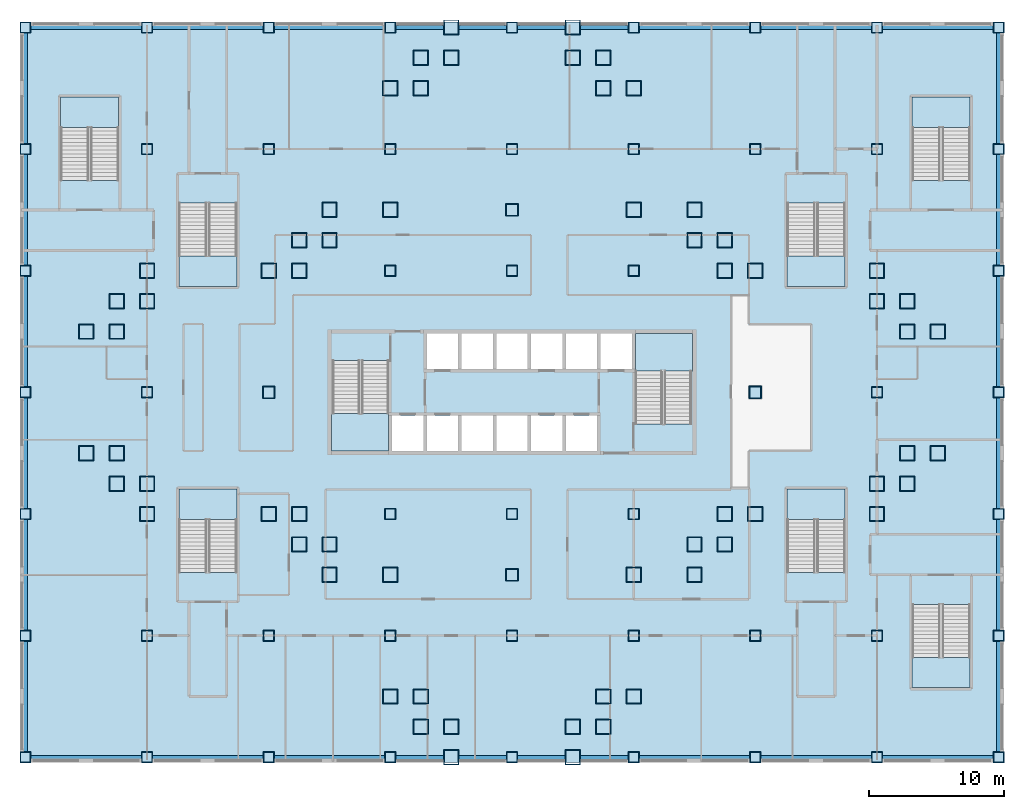
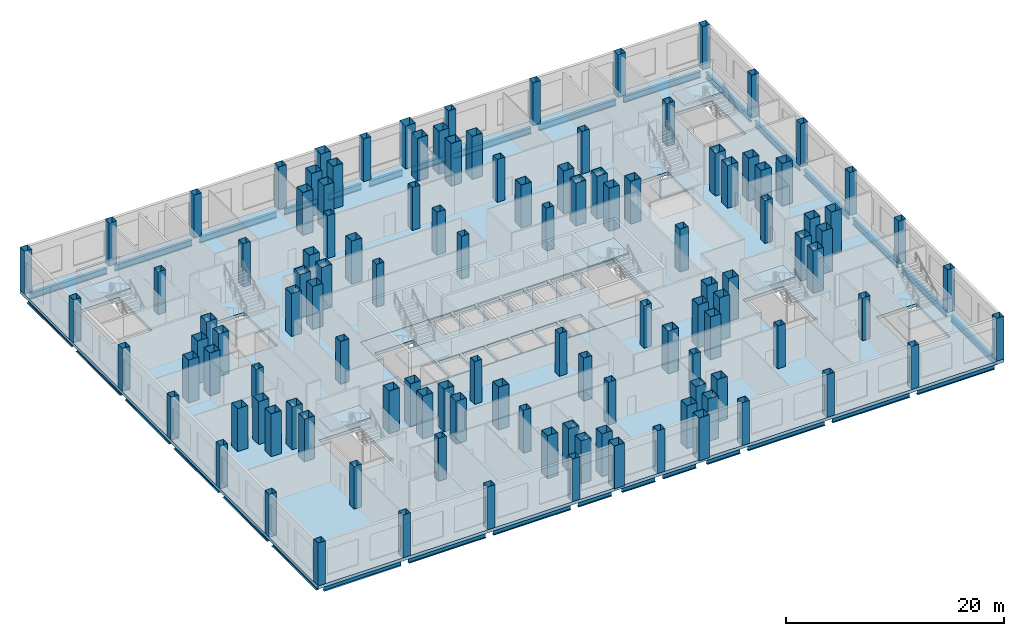
# One storey, part 1 of 23: 118 columns, 32 beams, 11 slabs, 9 elements without a shape of their own.
"""IFC4 building model written with IfcOpenShell, lengths in metres."""

from ifc_helpers import new_model, si_unit, direction, frame, origin, origin_2d, place, context, subcontext, project, spatial, polyline, hollow_rectangle, i_section, outline, extrude, material, layer, layer_set, material_profile, profile_set, type_object, element, aggregate, save


model = new_model("IFC4")

# Units and contexts
model_context = context("Model", 3, precision=1e-05, world=origin(), true_north=direction((0.0, 1.0)))
body_context = subcontext(model_context, "Body", "Model", "MODEL_VIEW")
ifc_project = project(units=[si_unit("LENGTHUNIT", "METRE"), si_unit("AREAUNIT", "SQUARE_METRE"), si_unit("VOLUMEUNIT", "CUBIC_METRE"), si_unit("PLANEANGLEUNIT", "RADIAN"), si_unit("MASSUNIT", "GRAM", prefix="KILO")], contexts=[model_context])

# Site, building, storey
site_placement = place(None, origin())
site = spatial("IfcSite", under=ifc_project, at=site_placement, CompositionType="ELEMENT")
building_placement = place(site_placement, origin())
building = spatial("IfcBuilding", under=site, at=building_placement, Name="Caravel Reach Hotel and Residences", CompositionType="ELEMENT")
storey_placement = place(building_placement, frame((0.0, 0.0, 24.0)))
storey = spatial("IfcBuildingStorey", under=building, at=storey_placement, Name="L04", CompositionType="ELEMENT", Elevation=24.0)

# Columns
ifc_material_1 = material(Name="Concrete-filled steel tube Q390B with Concrete C70 infill", Category="concrete")
ifc_material_profile_1 = material_profile(ifc_material_1, hollow_rectangle(XDim=1.10009765625, YDim=1.10009765625, WallThickness=0.035888671875, at=origin_2d()), Name="RHS 1100x1100x36")
ifc_profile_set_1 = profile_set([ifc_material_profile_1], Name="Concrete-filled steel tube Q390B with Concrete C70 infill")
column_type_1 = type_object("IfcColumnType", Name="CFT 1100x1100 Q390B C70", PredefinedType="COLUMN", material=ifc_profile_set_1)
for number, where, z_axis, x_axis, name in (
    (1, (22.5, 4.5, 0.0), (0.0, 0.0, 1.0), (1.0, 0.0, 0.0), "C1 column"),
    (2, (24.75, 4.5, 0.0), (0.0, 0.0, 1.0), (1.0, 0.0, 0.0), "C1 column"),
    (3, (24.75, 2.25, 0.0), (0.0, 0.0, 1.0), (1.0, 0.0, 0.0), "C1 column"),
    (4, (27.0, 2.25, 0.0), (0.0, 0.0, 1.0), (1.0, 0.0, 0.0), "C1 column"),
    (5, (27.0, 0.0, 0.0), (0.0, 0.0, 1.0), (1.0, 0.0, 0.0), "C1 column"),
    (6, (36.0, 0.0, 0.0), (0.0, 0.0, 1.0), (1.0, 0.0, 0.0), "C1 column"),
    (7, (36.0, 2.25, 0.0), (0.0, 0.0, 1.0), (1.0, 0.0, 0.0), "C1 column"),
    (8, (38.25, 2.25, 0.0), (0.0, 0.0, 1.0), (1.0, 0.0, 0.0), "C1 column"),
    (9, (38.25, 4.5, 0.0), (0.0, 0.0, 1.0), (1.0, 0.0, 0.0), "C1 column"),
    (10, (40.5, 4.5, 0.0), (0.0, 0.0, 1.0), (1.0, 0.0, 0.0), "C1 column"),
    (11, (40.5, 13.5, 0.0), (0.0, 0.0, 1.0), (1.0, 0.0, 0.0), "C1 column"),
    (12, (45.0, 13.5, 0.0), (0.0, 0.0, 1.0), (1.0, 0.0, 0.0), "C1 column"),
    (13, (45.0, 15.75, 0.0), (0.0, 0.0, 1.0), (1.0, 0.0, 0.0), "C1 column"),
    (14, (47.25, 15.75, 0.0), (0.0, 0.0, 1.0), (1.0, 0.0, 0.0), "C1 column"),
    (15, (47.25, 18.0, 0.0), (0.0, 0.0, 1.0), (1.0, 0.0, 0.0), "C1 column"),
    (16, (49.5, 18.0, 0.0), (0.0, 0.0, 1.0), (1.0, 0.0, 0.0), "C1 column"),
    (17, (58.5, 18.0, 0.0), (0.0, 0.0, 1.0), (1.0, 0.0, 0.0), "C1 column"),
    (18, (58.5, 20.25, 0.0), (0.0, 0.0, 1.0), (1.0, 0.0, 0.0), "C1 column"),
    (19, (60.75, 20.25, 0.0), (0.0, 0.0, 1.0), (1.0, 0.0, 0.0), "C1 column"),
    (20, (60.75, 22.5, 0.0), (0.0, 0.0, 1.0), (1.0, 0.0, 0.0), "C1 column"),
    (21, (63.0, 22.5, 0.0), (0.0, 0.0, 1.0), (1.0, 0.0, 0.0), "C1 column"),
    (22, (63.0, 31.5, 0.0), (0.0, 0.0, 1.0), (1.0, 0.0, 0.0), "C1 column"),
    (23, (60.75, 31.5, 0.0), (0.0, 0.0, 1.0), (1.0, 0.0, 0.0), "C1 column"),
    (24, (60.75, 33.75, 0.0), (0.0, 0.0, 1.0), (1.0, 0.0, 0.0), "C1 column"),
    (25, (58.5, 33.75, 0.0), (0.0, 0.0, 1.0), (1.0, 0.0, 0.0), "C1 column"),
    (26, (58.5, 36.0, 0.0), (0.0, 0.0, 1.0), (1.0, 0.0, 0.0), "C1 column"),
    (27, (49.5, 36.0, 0.0), (0.0, 0.0, 1.0), (1.0, 0.0, 0.0), "C1 column"),
    (28, (47.25, 36.0, 0.0), (0.0, 0.0, 1.0), (1.0, 0.0, 0.0), "C1 column"),
    (29, (47.25, 38.25, 0.0), (0.0, 0.0, 1.0), (1.0, 0.0, 0.0), "C1 column"),
    (30, (45.0, 38.25, 0.0), (0.0, 0.0, 1.0), (1.0, 0.0, 0.0), "C1 column"),
    (31, (45.0, 40.5, 0.0), (0.0, 0.0, 1.0), (1.0, 0.0, 0.0), "C1 column"),
    (32, (40.5, 40.5, 0.0), (0.0, 0.0, 1.0), (1.0, 0.0, 0.0), "C1 column"),
    (33, (40.5, 49.5, 0.0), (0.0, 0.0, 1.0), (1.0, 0.0, 0.0), "C1 column"),
    (34, (38.25, 49.5, 0.0), (0.0, 0.0, 1.0), (1.0, 0.0, 0.0), "C1 column"),
    (35, (38.25, 51.75, 0.0), (0.0, 0.0, 1.0), (1.0, 0.0, 0.0), "C1 column"),
    (36, (36.0, 51.75, 0.0), (0.0, 0.0, 1.0), (1.0, 0.0, 0.0), "C1 column"),
    (37, (36.0, 54.0, 0.0), (0.0, 0.0, 1.0), (1.0, 0.0, 0.0), "C1 column"),
    (38, (27.0, 54.0, 0.0), (0.0, 0.0, 1.0), (1.0, 0.0, 0.0), "C1 column"),
    (39, (27.0, 51.75, 0.0), (0.0, 0.0, 1.0), (1.0, 0.0, 0.0), "C1 column"),
    (40, (24.75, 51.75, 0.0), (0.0, 0.0, 1.0), (1.0, 0.0, 0.0), "C1 column"),
    (41, (24.75, 49.5, 0.0), (0.0, 0.0, 1.0), (1.0, 0.0, 0.0), "C1 column"),
    (42, (22.5, 49.5, 0.0), (0.0, 0.0, 1.0), (1.0, 0.0, 0.0), "C1 column"),
    (43, (22.5, 40.5, 0.0), (0.0, 0.0, 1.0), (1.0, 0.0, 0.0), "C1 column"),
    (44, (18.0, 40.5, 0.0), (0.0, 0.0, 1.0), (1.0, 0.0, 0.0), "C1 column"),
    (45, (18.0, 38.25, 0.0), (0.0, 0.0, 1.0), (1.0, 0.0, 0.0), "C1 column"),
    (46, (15.75, 38.25, 0.0), (0.0, 0.0, 1.0), (1.0, 0.0, 0.0), "C1 column"),
    (47, (15.75, 36.0, 0.0), (0.0, 0.0, 1.0), (1.0, 0.0, 0.0), "C1 column"),
    (48, (13.5, 36.0, 0.0), (0.0, 0.0, 1.0), (1.0, 0.0, 0.0), "C1 column"),
    (49, (4.5, 36.0, 0.0), (0.0, 0.0, 1.0), (1.0, 0.0, 0.0), "C1 column"),
    (50, (4.5, 33.75, 0.0), (0.0, 0.0, 1.0), (1.0, 0.0, 0.0), "C1 column"),
    (51, (2.25, 33.75, 0.0), (0.0, 0.0, 1.0), (1.0, 0.0, 0.0), "C1 column"),
    (52, (2.25, 31.5, 0.0), (0.0, 0.0, 1.0), (1.0, 0.0, 0.0), "C1 column"),
    (53, (0.0, 31.5, 0.0), (0.0, 0.0, 1.0), (1.0, 0.0, 0.0), "C1 column"),
    (54, (0.0, 22.5, 0.0), (0.0, 0.0, 1.0), (1.0, 0.0, 0.0), "C1 column"),
    (55, (2.25, 22.5, 0.0), (0.0, 0.0, 1.0), (1.0, 0.0, 0.0), "C1 column"),
    (56, (2.25, 20.25, 0.0), (0.0, 0.0, 1.0), (1.0, 0.0, 0.0), "C1 column"),
    (57, (4.5, 20.25, 0.0), (0.0, 0.0, 1.0), (1.0, 0.0, 0.0), "C1 column"),
    (58, (4.5, 18.0, 0.0), (0.0, 0.0, 1.0), (1.0, 0.0, 0.0), "C1 column"),
    (59, (13.5, 18.0, 0.0), (0.0, 0.0, 1.0), (1.0, 0.0, 0.0), "C1 column"),
    (60, (15.75, 18.0, 0.0), (0.0, 0.0, 1.0), (1.0, 0.0, 0.0), "C1 column"),
    (61, (15.75, 15.75, 0.0), (0.0, 0.0, 1.0), (1.0, 0.0, 0.0), "C1 column"),
    (62, (18.0, 15.75, 0.0), (0.0, 0.0, 1.0), (1.0, 0.0, 0.0), "C1 column"),
    (63, (18.0, 13.5, 0.0), (0.0, 0.0, 1.0), (1.0, 0.0, 0.0), "C1 column"),
    (64, (22.5, 13.5, 0.0), (0.0, 0.0, 1.0), (1.0, 0.0, 0.0), "C1 column"),
):
    element("IfcColumn", number, at=place(storey_placement, frame(where, z_axis=z_axis, x_axis=x_axis)), inside=storey, type_object=column_type_1, Name=name, PredefinedType="COLUMN", context=body_context, shape_type="SweptSolid", body=[
        extrude(hollow_rectangle(XDim=1.10009765625, YDim=1.10009765625, WallThickness=0.035888671875, at=origin_2d()), origin(), (0.0, 0.0, 1.0), 4.800048828125),
    ])
ifc_material_2 = material(Name="Concrete-filled steel tube Q390B with Concrete C70 infill", Category="concrete")
ifc_material_profile_2 = material_profile(ifc_material_2, hollow_rectangle(XDim=0.800048828125, YDim=0.800048828125, WallThickness=0.02490234375, at=origin_2d()), Name="RHS 800x800x25")
ifc_profile_set_2 = profile_set([ifc_material_profile_2], Name="Concrete-filled steel tube Q390B with Concrete C70 infill")
column_type_2 = type_object("IfcColumnType", Name="CFT 800x800 Q390B C70", PredefinedType="COLUMN", material=ifc_profile_set_2)
for number, where, z_axis, x_axis, name in (
    (65, (-4.5, 0.0, 0.0), (0.0, 0.0, 1.0), (1.0, 0.0, 0.0), "C4 column"),
    (66, (-4.5, 9.0, 0.0), (0.0, 0.0, 1.0), (1.0, 0.0, 0.0), "C4 column"),
    (67, (-4.5, 18.0, 0.0), (0.0, 0.0, 1.0), (1.0, 0.0, 0.0), "C4 column"),
    (68, (-4.5, 27.0, 0.0), (0.0, 0.0, 1.0), (1.0, 0.0, 0.0), "C4 column"),
    (69, (-4.5, 36.0, 0.0), (0.0, 0.0, 1.0), (1.0, 0.0, 0.0), "C4 column"),
    (70, (-4.5, 45.0, 0.0), (0.0, 0.0, 1.0), (1.0, 0.0, 0.0), "C4 column"),
    (71, (-4.5, 54.0, 0.0), (0.0, 0.0, 1.0), (1.0, 0.0, 0.0), "C4 column"),
    (72, (4.5, 0.0, 0.0), (0.0, 0.0, 1.0), (1.0, 0.0, 0.0), "C4 column"),
    (73, (4.5, 54.0, 0.0), (0.0, 0.0, 1.0), (1.0, 0.0, 0.0), "C4 column"),
    (74, (13.5, 0.0, 0.0), (0.0, 0.0, 1.0), (1.0, 0.0, 0.0), "C4 column"),
    (75, (13.5, 54.0, 0.0), (0.0, 0.0, 1.0), (1.0, 0.0, 0.0), "C4 column"),
    (76, (22.5, 0.0, 0.0), (0.0, 0.0, 1.0), (1.0, 0.0, 0.0), "C4 column"),
    (77, (22.5, 54.0, 0.0), (0.0, 0.0, 1.0), (1.0, 0.0, 0.0), "C4 column"),
    (78, (31.5, 0.0, 0.0), (0.0, 0.0, 1.0), (1.0, 0.0, 0.0), "C4 column"),
    (79, (31.5, 54.0, 0.0), (0.0, 0.0, 1.0), (1.0, 0.0, 0.0), "C4 column"),
    (80, (40.5, 0.0, 0.0), (0.0, 0.0, 1.0), (1.0, 0.0, 0.0), "C4 column"),
    (81, (40.5, 54.0, 0.0), (0.0, 0.0, 1.0), (1.0, 0.0, 0.0), "C4 column"),
    (82, (49.5, 0.0, 0.0), (0.0, 0.0, 1.0), (1.0, 0.0, 0.0), "C4 column"),
    (83, (49.5, 54.0, 0.0), (0.0, 0.0, 1.0), (1.0, 0.0, 0.0), "C4 column"),
    (84, (58.5, 0.0, 0.0), (0.0, 0.0, 1.0), (1.0, 0.0, 0.0), "C4 column"),
    (85, (58.5, 54.0, 0.0), (0.0, 0.0, 1.0), (1.0, 0.0, 0.0), "C4 column"),
    (86, (67.5, 0.0, 0.0), (0.0, 0.0, 1.0), (1.0, 0.0, 0.0), "C4 column"),
    (87, (67.5, 9.0, 0.0), (0.0, 0.0, 1.0), (1.0, 0.0, 0.0), "C4 column"),
    (88, (67.5, 18.0, 0.0), (0.0, 0.0, 1.0), (1.0, 0.0, 0.0), "C4 column"),
    (89, (67.5, 27.0, 0.0), (0.0, 0.0, 1.0), (1.0, 0.0, 0.0), "C4 column"),
    (90, (67.5, 36.0, 0.0), (0.0, 0.0, 1.0), (1.0, 0.0, 0.0), "C4 column"),
    (91, (67.5, 45.0, 0.0), (0.0, 0.0, 1.0), (1.0, 0.0, 0.0), "C4 column"),
    (92, (67.5, 54.0, 0.0), (0.0, 0.0, 1.0), (1.0, 0.0, 0.0), "C4 column"),
    (93, (4.5, 9.0, 0.0), (0.0, 0.0, 1.0), (1.0, 0.0, 0.0), "C4 column"),
    (94, (4.5, 27.0, 0.0), (0.0, 0.0, 1.0), (1.0, 0.0, 0.0), "C4 column"),
    (95, (4.5, 45.0, 0.0), (0.0, 0.0, 1.0), (1.0, 0.0, 0.0), "C4 column"),
    (96, (13.5, 9.0, 0.0), (0.0, 0.0, 1.0), (1.0, 0.0, 0.0), "C4 column"),
    (97, (13.5, 45.0, 0.0), (0.0, 0.0, 1.0), (1.0, 0.0, 0.0), "C4 column"),
    (98, (22.5, 9.0, 0.0), (0.0, 0.0, 1.0), (1.0, 0.0, 0.0), "C4 column"),
    (99, (22.5, 18.0, 0.0), (0.0, 0.0, 1.0), (1.0, 0.0, 0.0), "C4 column"),
    (100, (22.5, 36.0, 0.0), (0.0, 0.0, 1.0), (1.0, 0.0, 0.0), "C4 column"),
    (101, (22.5, 45.0, 0.0), (0.0, 0.0, 1.0), (1.0, 0.0, 0.0), "C4 column"),
    (102, (31.5, 9.0, 0.0), (0.0, 0.0, 1.0), (1.0, 0.0, 0.0), "C4 column"),
    (103, (31.5, 18.0, 0.0), (0.0, 0.0, 1.0), (1.0, 0.0, 0.0), "C4 column"),
    (104, (31.5, 36.0, 0.0), (0.0, 0.0, 1.0), (1.0, 0.0, 0.0), "C4 column"),
    (105, (31.5, 45.0, 0.0), (0.0, 0.0, 1.0), (1.0, 0.0, 0.0), "C4 column"),
    (106, (40.5, 9.0, 0.0), (0.0, 0.0, 1.0), (1.0, 0.0, 0.0), "C4 column"),
    (107, (40.5, 18.0, 0.0), (0.0, 0.0, 1.0), (1.0, 0.0, 0.0), "C4 column"),
    (108, (40.5, 36.0, 0.0), (0.0, 0.0, 1.0), (1.0, 0.0, 0.0), "C4 column"),
    (109, (40.5, 45.0, 0.0), (0.0, 0.0, 1.0), (1.0, 0.0, 0.0), "C4 column"),
    (110, (49.5, 9.0, 0.0), (0.0, 0.0, 1.0), (1.0, 0.0, 0.0), "C4 column"),
    (111, (49.5, 45.0, 0.0), (0.0, 0.0, 1.0), (1.0, 0.0, 0.0), "C4 column"),
    (112, (58.5, 9.0, 0.0), (0.0, 0.0, 1.0), (1.0, 0.0, 0.0), "C4 column"),
    (113, (58.5, 27.0, 0.0), (0.0, 0.0, 1.0), (1.0, 0.0, 0.0), "C4 column"),
    (114, (58.5, 45.0, 0.0), (0.0, 0.0, 1.0), (1.0, 0.0, 0.0), "C4 column"),
):
    element("IfcColumn", number, at=place(storey_placement, frame(where, z_axis=z_axis, x_axis=x_axis)), inside=storey, type_object=column_type_2, Name=name, PredefinedType="COLUMN", context=body_context, shape_type="SweptSolid", body=[
        extrude(hollow_rectangle(XDim=0.800048828125, YDim=0.800048828125, WallThickness=0.02490234375, at=origin_2d()), origin(), (0.0, 0.0, 1.0), 4.800048828125),
    ])
ifc_material_3 = material(Name="Concrete-filled steel tube Q390B with Concrete C70 infill", Category="concrete")
ifc_material_profile_3 = material_profile(ifc_material_3, hollow_rectangle(XDim=0.89990234375, YDim=0.89990234375, WallThickness=0.028076171875, at=origin_2d()), Name="RHS 900x900x28")
ifc_profile_set_3 = profile_set([ifc_material_profile_3], Name="Concrete-filled steel tube Q390B with Concrete C70 infill")
column_type_3 = type_object("IfcColumnType", Name="CFT 900x900 Q390B C70", PredefinedType="COLUMN", material=ifc_profile_set_3)
for number, where, z_axis, x_axis, name in (
    (115, (31.5, 40.5, 0.0), (0.0, 0.0, 1.0), (1.0, 0.0, 0.0), "C3 column"),
    (116, (31.5, 13.5, 0.0), (0.0, 0.0, 1.0), (1.0, 0.0, 0.0), "C3 column"),
    (117, (13.5, 27.0, 0.0), (0.0, 0.0, 1.0), (1.0, 0.0, 0.0), "C3 column"),
    (118, (49.5, 27.0, 0.0), (0.0, 0.0, 1.0), (1.0, 0.0, 0.0), "C3 column"),
):
    element("IfcColumn", number, at=place(storey_placement, frame(where, z_axis=z_axis, x_axis=x_axis)), inside=storey, type_object=column_type_3, Name=name, PredefinedType="COLUMN", context=body_context, shape_type="SweptSolid", body=[
        extrude(hollow_rectangle(XDim=0.89990234375, YDim=0.89990234375, WallThickness=0.028076171875, at=origin_2d()), origin(), (0.0, 0.0, 1.0), 4.800048828125),
    ])

# Beams
ifc_material_4 = material(Name="Structural steel Q355B", Category="steel")
ifc_material_profile_4 = material_profile(ifc_material_4, i_section(OverallWidth=0.300048828125, OverallDepth=0.699951171875, WebThickness=0.012939453125, FlangeThickness=0.02392578125, FilletRadius=0.01806640625, at=origin_2d()), Name="HN 700x300x13x24")
ifc_profile_set_4 = profile_set([ifc_material_profile_4], Name="Structural steel Q355B")
beam_type = type_object("IfcBeamType", Name="Spandrel beam HN 700x300x13x24", PredefinedType="SPANDREL", material=ifc_profile_set_4)
for number, where, z_axis, x_axis, name in (
    (119, (-4.10009765625, 0.0, -0.699951171875), (1.0, 0.0, 0.0), (0.0, 1.0, 0.0), "SP2 HN 700x300x13x24"),
    (120, (4.89990234375, 0.0, -0.699951171875), (1.0, 0.0, 0.0), (0.0, 1.0, 0.0), "SP2 HN 700x300x13x24"),
    (121, (13.89990234375, 0.0, -0.699951171875), (1.0, 0.0, 0.0), (0.0, 1.0, 0.0), "SP2 HN 700x300x13x24"),
):
    element("IfcBeam", number, at=place(storey_placement, frame(where, z_axis=z_axis, x_axis=x_axis)), inside=storey, type_object=beam_type, Name=name, PredefinedType="SPANDREL", context=body_context, shape_type="SweptSolid", body=[
        extrude(i_section(OverallWidth=0.300048828125, OverallDepth=0.699951171875, WebThickness=0.012939453125, FlangeThickness=0.02392578125, FilletRadius=0.01806640625, at=origin_2d()), origin(), (0.0, 0.0, 1.0), 8.2001953125),
    ])
for number, where, z_axis, x_axis, name in (
    (122, (22.89990234375, 0.0, -0.699951171875), (1.0, 0.0, 0.0), (0.0, 1.0, 0.0), "SP2 HN 700x300x13x24"),
    (123, (27.550048828125, 0.0, -0.699951171875), (1.0, 0.0, 0.0), (0.0, 1.0, 0.0), "SP2 HN 700x300x13x24"),
    (124, (31.89990234375, 0.0, -0.699951171875), (1.0, 0.0, 0.0), (0.0, 1.0, 0.0), "SP2 HN 700x300x13x24"),
    (125, (36.550048828125, 0.0, -0.699951171875), (1.0, 0.0, 0.0), (0.0, 1.0, 0.0), "SP2 HN 700x300x13x24"),
):
    element("IfcBeam", number, at=place(storey_placement, frame(where, z_axis=z_axis, x_axis=x_axis)), inside=storey, type_object=beam_type, Name=name, PredefinedType="SPANDREL", context=body_context, shape_type="SweptSolid", body=[
        extrude(i_section(OverallWidth=0.300048828125, OverallDepth=0.699951171875, WebThickness=0.012939453125, FlangeThickness=0.02392578125, FilletRadius=0.01806640625, at=origin_2d()), origin(), (0.0, 0.0, 1.0), 3.550048828125),
    ])
for number, where, z_axis, x_axis, name in (
    (126, (40.89990234375, 0.0, -0.699951171875), (1.0, 0.0, 0.0), (0.0, 1.0, 0.0), "SP2 HN 700x300x13x24"),
    (127, (49.89990234375, 0.0, -0.699951171875), (1.0, 0.0, 0.0), (0.0, 1.0, 0.0), "SP2 HN 700x300x13x24"),
    (128, (58.89990234375, 0.0, -0.699951171875), (1.0, 0.0, 0.0), (0.0, 1.0, 0.0), "SP2 HN 700x300x13x24"),
    (129, (67.5, 0.39990234375, -0.699951171875), (0.0, 1.0, 0.0), (-1.0, 0.0, 0.0), "SP2 HN 700x300x13x24"),
    (130, (67.5, 9.39990234375, -0.699951171875), (0.0, 1.0, 0.0), (-1.0, 0.0, 0.0), "SP2 HN 700x300x13x24"),
    (131, (67.5, 18.39990234375, -0.699951171875), (0.0, 1.0, 0.0), (-1.0, 0.0, 0.0), "SP2 HN 700x300x13x24"),
    (132, (67.5, 27.39990234375, -0.699951171875), (0.0, 1.0, 0.0), (-1.0, 0.0, 0.0), "SP2 HN 700x300x13x24"),
    (133, (67.5, 36.39990234375, -0.699951171875), (0.0, 1.0, 0.0), (-1.0, 0.0, 0.0), "SP2 HN 700x300x13x24"),
    (134, (67.5, 45.39990234375, -0.699951171875), (0.0, 1.0, 0.0), (-1.0, 0.0, 0.0), "SP2 HN 700x300x13x24"),
    (135, (67.10009765625, 54.0, -0.699951171875), (-1.0, 0.0, 0.0), (0.0, -1.0, 0.0), "SP2 HN 700x300x13x24"),
    (136, (58.10009765625, 54.0, -0.699951171875), (-1.0, 0.0, 0.0), (0.0, -1.0, 0.0), "SP2 HN 700x300x13x24"),
    (137, (49.10009765625, 54.0, -0.699951171875), (-1.0, 0.0, 0.0), (0.0, -1.0, 0.0), "SP2 HN 700x300x13x24"),
):
    element("IfcBeam", number, at=place(storey_placement, frame(where, z_axis=z_axis, x_axis=x_axis)), inside=storey, type_object=beam_type, Name=name, PredefinedType="SPANDREL", context=body_context, shape_type="SweptSolid", body=[
        extrude(i_section(OverallWidth=0.300048828125, OverallDepth=0.699951171875, WebThickness=0.012939453125, FlangeThickness=0.02392578125, FilletRadius=0.01806640625, at=origin_2d()), origin(), (0.0, 0.0, 1.0), 8.2001953125),
    ])
for number, where, z_axis, x_axis, name in (
    (138, (40.10009765625, 54.0, -0.699951171875), (-1.0, 0.0, 0.0), (0.0, -1.0, 0.0), "SP2 HN 700x300x13x24"),
    (139, (35.449951171875, 54.0, -0.699951171875), (-1.0, 0.0, 0.0), (0.0, -1.0, 0.0), "SP2 HN 700x300x13x24"),
    (140, (31.10009765625, 54.0, -0.699951171875), (-1.0, 0.0, 0.0), (0.0, -1.0, 0.0), "SP2 HN 700x300x13x24"),
    (141, (26.449951171875, 54.0, -0.699951171875), (-1.0, 0.0, 0.0), (0.0, -1.0, 0.0), "SP2 HN 700x300x13x24"),
):
    element("IfcBeam", number, at=place(storey_placement, frame(where, z_axis=z_axis, x_axis=x_axis)), inside=storey, type_object=beam_type, Name=name, PredefinedType="SPANDREL", context=body_context, shape_type="SweptSolid", body=[
        extrude(i_section(OverallWidth=0.300048828125, OverallDepth=0.699951171875, WebThickness=0.012939453125, FlangeThickness=0.02392578125, FilletRadius=0.01806640625, at=origin_2d()), origin(), (0.0, 0.0, 1.0), 3.550048828125),
    ])
for number, where, z_axis, x_axis, name in (
    (142, (22.10009765625, 54.0, -0.699951171875), (-1.0, 0.0, 0.0), (0.0, -1.0, 0.0), "SP2 HN 700x300x13x24"),
    (143, (13.10009765625, 54.0, -0.699951171875), (-1.0, 0.0, 0.0), (0.0, -1.0, 0.0), "SP2 HN 700x300x13x24"),
    (144, (4.10009765625, 54.0, -0.699951171875), (-1.0, 0.0, 0.0), (0.0, -1.0, 0.0), "SP2 HN 700x300x13x24"),
    (145, (-4.5, 53.60009765625, -0.699951171875), (0.0, -1.0, 0.0), (1.0, 0.0, 0.0), "SP2 HN 700x300x13x24"),
    (146, (-4.5, 44.60009765625, -0.699951171875), (0.0, -1.0, 0.0), (1.0, 0.0, 0.0), "SP2 HN 700x300x13x24"),
    (147, (-4.5, 35.60009765625, -0.699951171875), (0.0, -1.0, 0.0), (1.0, 0.0, 0.0), "SP2 HN 700x300x13x24"),
    (148, (-4.5, 26.60009765625, -0.699951171875), (0.0, -1.0, 0.0), (1.0, 0.0, 0.0), "SP2 HN 700x300x13x24"),
    (149, (-4.5, 17.60009765625, -0.699951171875), (0.0, -1.0, 0.0), (1.0, 0.0, 0.0), "SP2 HN 700x300x13x24"),
    (150, (-4.5, 8.60009765625, -0.699951171875), (0.0, -1.0, 0.0), (1.0, 0.0, 0.0), "SP2 HN 700x300x13x24"),
):
    element("IfcBeam", number, at=place(storey_placement, frame(where, z_axis=z_axis, x_axis=x_axis)), inside=storey, type_object=beam_type, Name=name, PredefinedType="SPANDREL", context=body_context, shape_type="SweptSolid", body=[
        extrude(i_section(OverallWidth=0.300048828125, OverallDepth=0.699951171875, WebThickness=0.012939453125, FlangeThickness=0.02392578125, FilletRadius=0.01806640625, at=origin_2d()), origin(), (0.0, 0.0, 1.0), 8.2001953125),
    ])

# Slab
ifc_material_5 = material(Name="Concrete C40", Category="concrete")
ifc_layer_1 = layer(ifc_material_5, 0.35009765625)
ifc_layer_set_1 = layer_set([ifc_layer_1], Name="Core floor slab 350 mm")
slab_type_1 = type_object("IfcSlabType", Name="Core floor slab 350 mm", PredefinedType="FLOOR", material=ifc_layer_set_1)
slab_1_placement = place(storey_placement, frame((0.0, 0.0, -0.35009765625)))
element("IfcSlab", 151, at=slab_1_placement, inside=storey, type_object=slab_type_1, Name="L04 core floor", PredefinedType="FLOOR", context=body_context, shape_type="SweptSolid", body=[
    extrude(outline(polyline([(18.0, 31.5), (45.0, 31.5), (45.0, 22.5), (18.0, 22.5), (18.0, 31.5)]), holes=[polyline([(22.625, 25.27490234375), (22.625, 22.64990234375), (24.9462890625, 22.64990234375), (24.9462890625, 25.27490234375), (22.625, 25.27490234375)]), polyline([(27.517822265625, 25.27490234375), (25.1962890625, 25.27490234375), (25.1962890625, 22.64990234375), (27.517822265625, 22.64990234375), (27.517822265625, 25.27490234375)]), polyline([(30.08935546875, 25.27490234375), (27.767822265625, 25.27490234375), (27.767822265625, 22.64990234375), (30.08935546875, 22.64990234375), (30.08935546875, 25.27490234375)]), polyline([(32.66064453125, 25.27490234375), (30.33935546875, 25.27490234375), (30.33935546875, 22.64990234375), (32.66064453125, 22.64990234375), (32.66064453125, 25.27490234375)]), polyline([(18.22509765625, 22.64990234375), (22.375, 22.64990234375), (22.375, 29.35009765625), (18.22509765625, 29.35009765625), (18.22509765625, 22.64990234375)]), polyline([(27.517822265625, 31.35009765625), (25.1962890625, 31.35009765625), (25.1962890625, 28.72509765625), (27.517822265625, 28.72509765625), (27.517822265625, 31.35009765625)]), polyline([(30.08935546875, 31.35009765625), (27.767822265625, 31.35009765625), (27.767822265625, 28.72509765625), (30.08935546875, 28.72509765625), (30.08935546875, 31.35009765625)]), polyline([(32.91064453125, 25.27490234375), (32.91064453125, 22.64990234375), (35.232177734375, 22.64990234375), (35.232177734375, 25.27490234375), (32.91064453125, 25.27490234375)]), polyline([(37.8037109375, 25.27490234375), (35.482177734375, 25.27490234375), (35.482177734375, 22.64990234375), (37.8037109375, 22.64990234375), (37.8037109375, 25.27490234375)]), polyline([(44.77490234375, 31.35009765625), (40.625, 31.35009765625), (40.625, 24.64990234375), (44.77490234375, 24.64990234375), (44.77490234375, 31.35009765625)]), polyline([(32.66064453125, 31.35009765625), (30.33935546875, 31.35009765625), (30.33935546875, 28.72509765625), (32.66064453125, 28.72509765625), (32.66064453125, 31.35009765625)]), polyline([(35.232177734375, 31.35009765625), (32.91064453125, 31.35009765625), (32.91064453125, 28.72509765625), (35.232177734375, 28.72509765625), (35.232177734375, 31.35009765625)]), polyline([(37.8037109375, 31.35009765625), (35.482177734375, 31.35009765625), (35.482177734375, 28.72509765625), (37.8037109375, 28.72509765625), (37.8037109375, 31.35009765625)]), polyline([(40.375, 31.35009765625), (38.0537109375, 31.35009765625), (38.0537109375, 28.72509765625), (40.375, 28.72509765625), (40.375, 31.35009765625)])]), origin(), (0.0, 0.0, 1.0), 0.35009765625),
])

# Stair, slab
ifc_material_6 = material(Name="Concrete C40", Category="concrete")
stair_type = type_object("IfcStairType", Name="Core stair", PredefinedType="HALF_TURN_STAIR", material=ifc_material_6)
stair_1_placement = place(storey_placement, origin())
stair_1 = element("IfcStair", 152, at=stair_1_placement, inside=storey, type_object=stair_type, Name="L04 Exit stair A", PredefinedType="HALF_TURN_STAIR")
ifc_material_7 = material(Name="Concrete C40", Category="concrete")
ifc_layer_2 = layer(ifc_material_7, 0.199951171875)
ifc_layer_set_2 = layer_set([ifc_layer_2], Name="Core stair landing")
slab_type_2 = type_object("IfcSlabType", Name="Core stair landing", PredefinedType="LANDING", material=ifc_layer_set_2)
slab_2_placement = place(storey_placement, frame((0.0, 0.0, 2.199951171875)))
slab_2 = element("IfcSlab", 153, at=slab_2_placement, type_object=slab_type_2, Name="ST-A landing 1", PredefinedType="LANDING", context=body_context, shape_type="SweptSolid", body=[
    extrude(outline(polyline([(18.14990234375, 25.429931640625), (18.14990234375, 22.64990234375), (22.375, 22.64990234375), (22.375, 25.429931640625), (18.14990234375, 25.429931640625)])), origin(), (0.0, 0.0, 1.0), 0.199951171875),
])
aggregate(stair_1, [slab_2])

stair_2_placement = place(storey_placement, origin())
stair_2 = element("IfcStair", 154, at=stair_2_placement, inside=storey, type_object=stair_type, Name="L04 Exit stair B", PredefinedType="HALF_TURN_STAIR")
slab_3_placement = place(storey_placement, frame((0.0, 0.0, 2.199951171875)))
slab_3 = element("IfcSlab", 155, at=slab_3_placement, type_object=slab_type_2, Name="ST-B landing 1", PredefinedType="LANDING", context=body_context, shape_type="SweptSolid", body=[
    extrude(outline(polyline([(44.85009765625, 28.570068359375), (44.85009765625, 31.35009765625), (40.625, 31.35009765625), (40.625, 28.570068359375), (44.85009765625, 28.570068359375)])), origin(), (0.0, 0.0, 1.0), 0.199951171875),
])
aggregate(stair_2, [slab_3])

stair_3_placement = place(storey_placement, origin())
stair_3 = element("IfcStair", 156, at=stair_3_placement, inside=storey, type_object=stair_type, Name="L04 Exit stair P1", PredefinedType="HALF_TURN_STAIR")
slab_4_placement = place(storey_placement, frame((0.0, 0.0, 2.199951171875)))
slab_4 = element("IfcSlab", 157, at=slab_4_placement, type_object=slab_type_2, Name="ST-P1 landing 1", PredefinedType="LANDING", context=body_context, shape_type="SweptSolid", body=[
    extrude(outline(polyline([(6.85009765625, 37.090087890625), (6.85009765625, 34.85009765625), (11.14990234375, 34.85009765625), (11.14990234375, 37.090087890625), (6.85009765625, 37.090087890625)])), origin(), (0.0, 0.0, 1.0), 0.199951171875),
])
aggregate(stair_3, [slab_4])

stair_4_placement = place(storey_placement, origin())
stair_4 = element("IfcStair", 158, at=stair_4_placement, inside=storey, type_object=stair_type, Name="L04 Exit stair P2", PredefinedType="HALF_TURN_STAIR")
slab_5_placement = place(storey_placement, frame((0.0, 0.0, 2.199951171875)))
slab_5 = element("IfcSlab", 159, at=slab_5_placement, type_object=slab_type_2, Name="ST-P2 landing 1", PredefinedType="LANDING", context=body_context, shape_type="SweptSolid", body=[
    extrude(outline(polyline([(51.85009765625, 37.090087890625), (51.85009765625, 34.85009765625), (56.14990234375, 34.85009765625), (56.14990234375, 37.090087890625), (51.85009765625, 37.090087890625)])), origin(), (0.0, 0.0, 1.0), 0.199951171875),
])
aggregate(stair_4, [slab_5])

stair_5_placement = place(storey_placement, origin())
stair_5 = element("IfcStair", 160, at=stair_5_placement, inside=storey, type_object=stair_type, Name="L04 Exit stair P3", PredefinedType="HALF_TURN_STAIR")
slab_6_placement = place(storey_placement, frame((0.0, 0.0, 2.199951171875)))
slab_6 = element("IfcSlab", 161, at=slab_6_placement, type_object=slab_type_2, Name="ST-P3 landing 1", PredefinedType="LANDING", context=body_context, shape_type="SweptSolid", body=[
    extrude(outline(polyline([(11.14990234375, 17.610107421875), (11.14990234375, 19.85009765625), (6.85009765625, 19.85009765625), (6.85009765625, 17.610107421875), (11.14990234375, 17.610107421875)])), origin(), (0.0, 0.0, 1.0), 0.199951171875),
])
aggregate(stair_5, [slab_6])

stair_6_placement = place(storey_placement, origin())
stair_6 = element("IfcStair", 162, at=stair_6_placement, inside=storey, type_object=stair_type, Name="L04 Exit stair P4", PredefinedType="HALF_TURN_STAIR")
slab_7_placement = place(storey_placement, frame((0.0, 0.0, 2.199951171875)))
slab_7 = element("IfcSlab", 163, at=slab_7_placement, type_object=slab_type_2, Name="ST-P4 landing 1", PredefinedType="LANDING", context=body_context, shape_type="SweptSolid", body=[
    extrude(outline(polyline([(56.14990234375, 17.610107421875), (56.14990234375, 19.85009765625), (51.85009765625, 19.85009765625), (51.85009765625, 17.610107421875), (56.14990234375, 17.610107421875)])), origin(), (0.0, 0.0, 1.0), 0.199951171875),
])
aggregate(stair_6, [slab_7])

stair_7_placement = place(storey_placement, origin())
stair_7 = element("IfcStair", 164, at=stair_7_placement, inside=storey, type_object=stair_type, Name="L04 Exit stair P5", PredefinedType="HALF_TURN_STAIR")
slab_8_placement = place(storey_placement, frame((0.0, 0.0, 2.199951171875)))
slab_8 = element("IfcSlab", 165, at=slab_8_placement, type_object=slab_type_2, Name="ST-P5 landing 1", PredefinedType="LANDING", context=body_context, shape_type="SweptSolid", body=[
    extrude(outline(polyline([(2.39990234375, 46.610107421875), (2.39990234375, 48.85009765625), (-1.89990234375, 48.85009765625), (-1.89990234375, 46.610107421875), (2.39990234375, 46.610107421875)])), origin(), (0.0, 0.0, 1.0), 0.199951171875),
])
aggregate(stair_7, [slab_8])

stair_8_placement = place(storey_placement, origin())
stair_8 = element("IfcStair", 166, at=stair_8_placement, inside=storey, type_object=stair_type, Name="L04 Exit stair P6", PredefinedType="HALF_TURN_STAIR")
slab_9_placement = place(storey_placement, frame((0.0, 0.0, 2.199951171875)))
slab_9 = element("IfcSlab", 167, at=slab_9_placement, type_object=slab_type_2, Name="ST-P6 landing 1", PredefinedType="LANDING", context=body_context, shape_type="SweptSolid", body=[
    extrude(outline(polyline([(65.39990234375, 46.610107421875), (65.39990234375, 48.85009765625), (61.10009765625, 48.85009765625), (61.10009765625, 46.610107421875), (65.39990234375, 46.610107421875)])), origin(), (0.0, 0.0, 1.0), 0.199951171875),
])
aggregate(stair_8, [slab_9])

stair_9_placement = place(storey_placement, origin())
stair_9 = element("IfcStair", 168, at=stair_9_placement, inside=storey, type_object=stair_type, Name="L04 Exit stair P7", PredefinedType="HALF_TURN_STAIR")
slab_10_placement = place(storey_placement, frame((0.0, 0.0, 2.199951171875)))
slab_10 = element("IfcSlab", 169, at=slab_10_placement, type_object=slab_type_2, Name="ST-P7 landing 1", PredefinedType="LANDING", context=body_context, shape_type="SweptSolid", body=[
    extrude(outline(polyline([(61.10009765625, 7.389892578125), (61.10009765625, 5.14990234375), (65.39990234375, 5.14990234375), (65.39990234375, 7.389892578125), (61.10009765625, 7.389892578125)])), origin(), (0.0, 0.0, 1.0), 0.199951171875),
])
aggregate(stair_9, [slab_10])

# Slab
ifc_material_8 = material(Name="Concrete C40 post-tensioned", Category="concrete")
ifc_layer_3 = layer(ifc_material_8, 0.35009765625)
ifc_layer_set_3 = layer_set([ifc_layer_3], Name="Floor slab 350")
slab_type_3 = type_object("IfcSlabType", Name="Floor slab 350", PredefinedType="FLOOR", material=ifc_layer_set_3)
slab_11_placement = place(storey_placement, frame((0.0, 0.0, -0.35009765625)))
element("IfcSlab", 170, at=slab_11_placement, inside=storey, type_object=slab_type_3, Name="S3 slab L04", PredefinedType="FLOOR", context=body_context, shape_type="SweptSolid", body=[
    extrude(outline(polyline([(-4.89990234375, -0.39990234375), (-4.89990234375, 54.39990234375), (67.89990234375, 54.39990234375), (67.89990234375, -0.39990234375), (-4.89990234375, -0.39990234375)]), holes=[polyline([(45.0, 22.5), (45.0, 31.5), (18.0, 31.5), (18.0, 22.5), (45.0, 22.5)]), polyline([(11.14501953125, 41.010009765625), (6.85498046875, 41.010009765625), (6.85498046875, 34.8701171875), (11.14501953125, 34.8701171875), (11.14501953125, 41.010009765625)]), polyline([(56.14501953125, 34.8701171875), (56.14501953125, 41.010009765625), (51.85498046875, 41.010009765625), (51.85498046875, 34.8701171875), (56.14501953125, 34.8701171875)]), polyline([(11.14501953125, 19.830078125), (6.85498046875, 19.830078125), (6.85498046875, 13.68994140625), (11.14501953125, 13.68994140625), (11.14501953125, 19.830078125)]), polyline([(56.14501953125, 13.68994140625), (56.14501953125, 19.830078125), (51.85498046875, 19.830078125), (51.85498046875, 13.68994140625), (56.14501953125, 13.68994140625)]), polyline([(-1.89501953125, 42.68994140625), (2.39501953125, 42.68994140625), (2.39501953125, 48.830078125), (-1.89501953125, 48.830078125), (-1.89501953125, 42.68994140625)]), polyline([(61.10498046875, 48.830078125), (61.10498046875, 42.68994140625), (65.39501953125, 42.68994140625), (65.39501953125, 48.830078125), (61.10498046875, 48.830078125)]), polyline([(61.10498046875, 5.169921875), (65.39501953125, 5.169921875), (65.39501953125, 11.31005859375), (61.10498046875, 11.31005859375), (61.10498046875, 5.169921875)])]), origin(), (0.0, 0.0, 1.0), 0.35009765625),
])

save(model, "model.ifc")
